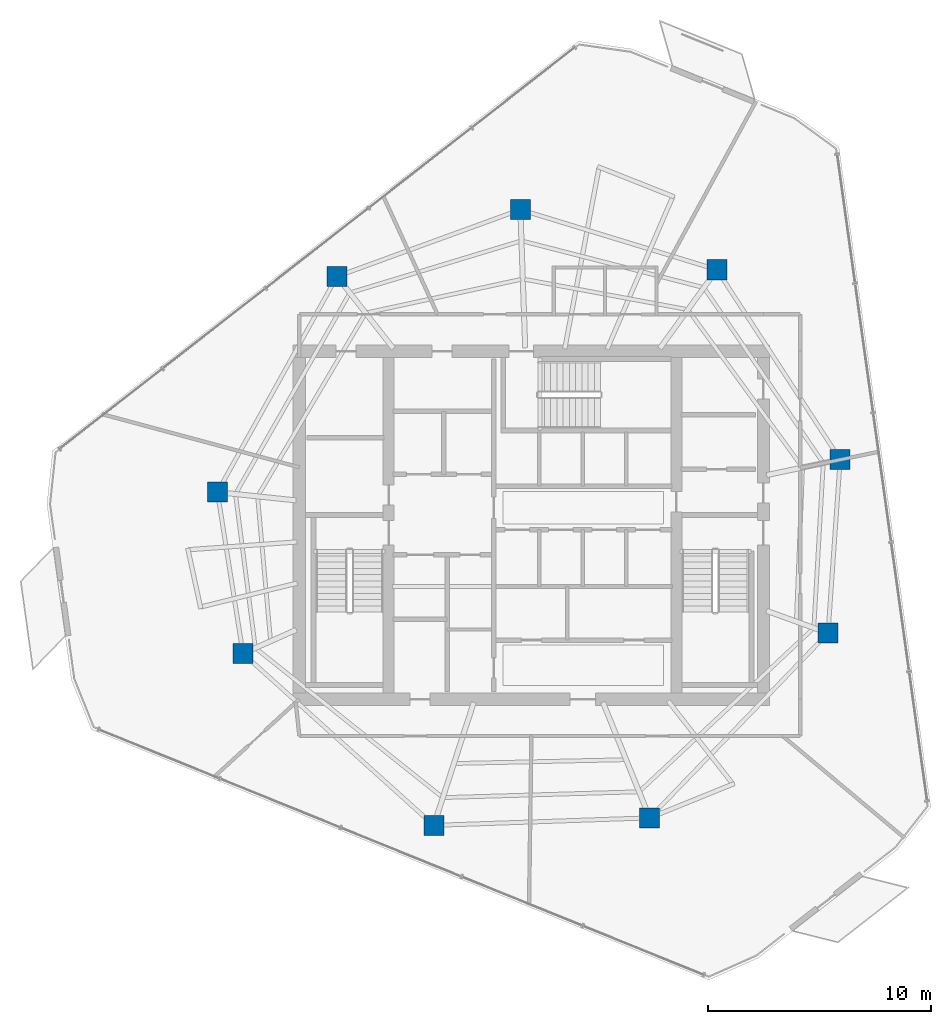
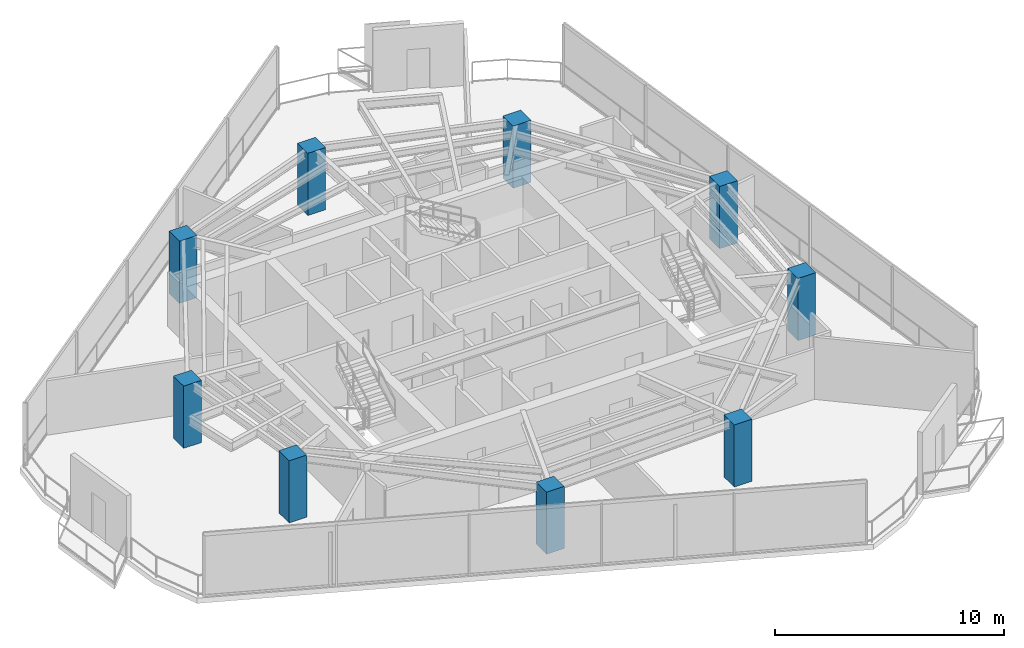
# One storey, part 1 of 19: 9 columns.
"""IFC4 building model written with IfcOpenShell, lengths in metres."""

from ifc_helpers import new_model, si_unit, direction, frame, origin, origin_2d, place, context, subcontext, project, spatial, rectangle, extrude, material, material_profile, profile_set, type_object, element, save


model = new_model("IFC4")

# Units and contexts
model_context = context("Model", 3, precision=1e-05, world=origin(), true_north=direction((0.0, 1.0)))
body_context = subcontext(model_context, "Body", "Model", "MODEL_VIEW")
ifc_project = project(units=[si_unit("LENGTHUNIT", "METRE"), si_unit("AREAUNIT", "SQUARE_METRE"), si_unit("VOLUMEUNIT", "CUBIC_METRE"), si_unit("PLANEANGLEUNIT", "RADIAN"), si_unit("MASSUNIT", "GRAM", prefix="KILO")], contexts=[model_context])

# Site, building, storey
site_placement = place(None, origin())
site = spatial("IfcSite", under=ifc_project, at=site_placement, CompositionType="ELEMENT")
building_placement = place(site_placement, origin())
building = spatial("IfcBuilding", under=site, at=building_placement, Name="Qarnah Convention Tower", CompositionType="ELEMENT")
storey_placement = place(building_placement, frame((0.0, 0.0, 209.39990234375)))
storey = spatial("IfcBuildingStorey", under=building, at=storey_placement, Name="L56", CompositionType="ELEMENT", Elevation=209.39990234375)

# Columns
ifc_material = material(Name="Concrete C50/60", Category="concrete")
ifc_material_profile = material_profile(ifc_material, rectangle(XDim=0.89990234375, YDim=0.89990234375, at=origin_2d()), Name="RC-COL-900X900")
ifc_profile_set = profile_set([ifc_material_profile], Name="Concrete C50/60")
column_type = type_object("IfcColumnType", Name="COL-Z4-900", PredefinedType="COLUMN", material=ifc_profile_set)
for number, where, z_axis, x_axis, name in (
    (1, (51.041015625, 29.342041015625, 0.0), (0.0, 0.0, 1.0), (1.0, 0.0, 0.0), "L56 plumb column PC-Z4-01"),
    (2, (45.51708984375, 37.847900390625, 0.0), (0.0, 0.0, 1.0), (1.0, 0.0, 0.0), "L56 plumb column PC-Z4-02"),
    (3, (36.7060546875, 40.541015625, 0.0), (0.0, 0.0, 1.0), (1.0, 0.0, 0.0), "L56 plumb column PC-Z4-03"),
    (4, (28.488037109375, 37.550048828125, 0.0), (0.0, 0.0, 1.0), (1.0, 0.0, 0.0), "L56 plumb column PC-Z4-04"),
    (5, (23.1279296875, 27.87890625, 0.0), (0.0, 0.0, 1.0), (1.0, 0.0, 0.0), "L56 plumb column PC-Z4-05"),
    (6, (24.27294921875, 20.64501953125, 0.0), (0.0, 0.0, 1.0), (1.0, 0.0, 0.0), "L56 plumb column PC-Z4-06"),
    (7, (32.826904296875, 12.943115234375, 0.0), (0.0, 0.0, 1.0), (1.0, 0.0, 0.0), "L56 plumb column PC-Z4-07"),
    (8, (42.5009765625, 13.280029296875, 0.0), (0.0, 0.0, 1.0), (1.0, 0.0, 0.0), "L56 plumb column PC-Z4-08"),
    (9, (50.4970703125, 21.56005859375, 0.0), (0.0, 0.0, 1.0), (1.0, 0.0, 0.0), "L56 plumb column PC-Z4-09"),
):
    element("IfcColumn", number, at=place(storey_placement, frame(where, z_axis=z_axis, x_axis=x_axis)), inside=storey, type_object=column_type, Name=name, PredefinedType="COLUMN", context=body_context, shape_type="SweptSolid", body=[
        extrude(rectangle(XDim=0.89990234375, YDim=0.89990234375, at=origin_2d()), origin(), (0.0, 0.0, 1.0), 3.320068359375),
    ])

save(model, "model.ifc")
